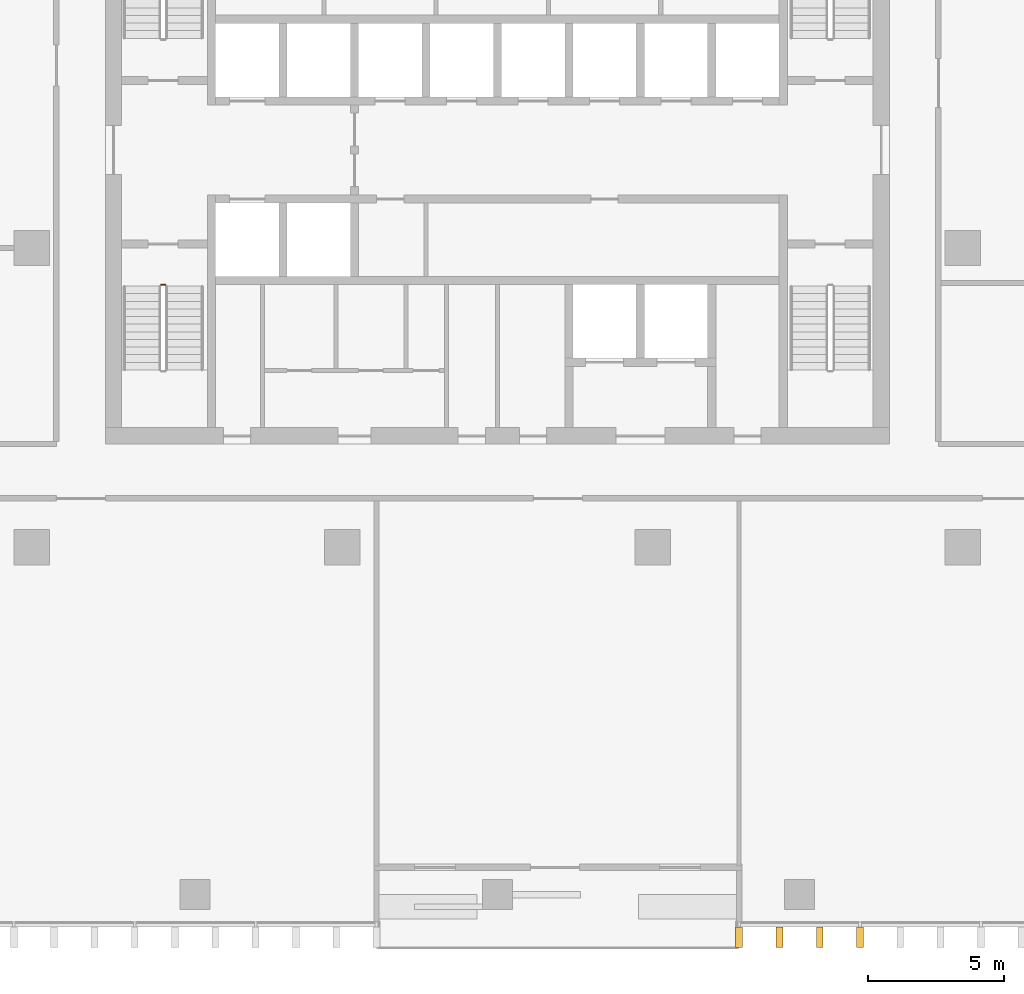
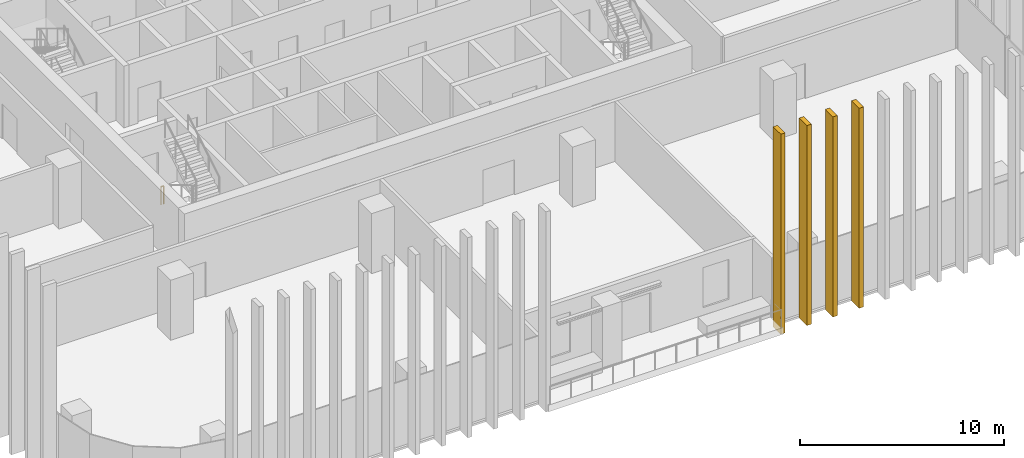
# One storey, part 12 of 16: 4 shading devices, 1 railing.
"""IFC4 building model written with IfcOpenShell, lengths in metres."""

import ifcopenshell
import ifcopenshell.guid

model = None  # the IFC model being written
_history = None  # IfcOwnerHistory: only IFC2X3 demands one
_inside = {}  # id of a spatial element -> (the spatial element, [elements in it])
_under = {}  # id of a project, library or spatial element -> (it, [spatial elements below it])
_declared = {}  # id of a project -> (the project, [libraries it declares])
_typed = {}  # id of a type object -> (the type object, [elements of that type])
_made_of = {}  # id of a material, layer set ... -> (it, [elements and type objects made of it])


def new_model(schema):
    """Start an empty IFC model of exactly this schema.

    Asked for "IFC4X3", IfcOpenShell would pick the latest addendum, in which some entities
    have other attributes; the version numbers below select the first issue.
    IFC2X3 requires an IfcOwnerHistory on every rooted entity: one is made here for all.
    """
    global model, _history
    if schema == "IFC4X3":
        model = ifcopenshell.file(schema_version=(4, 3, 0, 0))
    else:
        model = ifcopenshell.file(schema=schema)
    _inside.clear()
    _under.clear()
    _declared.clear()
    _typed.clear()
    _made_of.clear()
    _history = None
    if model.schema == "IFC2X3":
        org = make("IfcOrganization", Name="unknown")
        user = make(
            "IfcPersonAndOrganization",
            ThePerson=make("IfcPerson", FamilyName="unknown"),
            TheOrganization=org,
        )
        app = make(
            "IfcApplication",
            ApplicationDeveloper=org,
            Version="unknown",
            ApplicationFullName="unknown",
            ApplicationIdentifier="unknown",
        )
        _history = make(
            "IfcOwnerHistory",
            OwningUser=user,
            OwningApplication=app,
            ChangeAction="ADDED",
            CreationDate=0,
        )
    return model


def make(cls, **values):
    """One entity of the class cls with the attributes given. An attribute that is None is left unset."""
    return model.create_entity(
        cls, **{name: value for name, value in values.items() if value is not None}
    )


def rooted(cls, **values):
    """An entity with a GlobalId (a new one), such as an element, a storey or a relation."""
    return make(cls, GlobalId=ifcopenshell.guid.new(), OwnerHistory=_history, **values)


def si_unit(unit_type, name, prefix=None):
    """IfcSIUnit, for example si_unit("LENGTHUNIT", "METRE", prefix="MILLI")."""
    return make("IfcSIUnit", UnitType=unit_type, Prefix=prefix, Name=name)


def assignment(units):
    """IfcUnitAssignment: the units of a project."""
    return None if units is None else make("IfcUnitAssignment", Units=units)


def point(xyz):
    """IfcCartesianPoint."""
    return None if xyz is None else make("IfcCartesianPoint", Coordinates=xyz)


def direction(xyz):
    """IfcDirection."""
    return None if xyz is None else make("IfcDirection", DirectionRatios=xyz)


def frame(location, z_axis=None, x_axis=None):
    """IfcAxis2Placement3D, a coordinate frame: its origin and axes. An axis left out is left unset."""
    return make(
        "IfcAxis2Placement3D",
        Location=point(location),
        Axis=direction(z_axis),
        RefDirection=direction(x_axis),
    )


def frame_2d(location, x_axis=None):
    """IfcAxis2Placement2D, a coordinate frame in the plane: its origin and x axis."""
    return make(
        "IfcAxis2Placement2D", Location=point(location), RefDirection=direction(x_axis)
    )


def origin():
    """The frame at (0, 0, 0) with its axes left unset."""
    return frame((0.0, 0.0, 0.0))


def origin_2d():
    """The frame at (0, 0) in the plane with its x axis left unset."""
    return frame_2d((0.0, 0.0))


def place(relative_to, where):
    """IfcLocalPlacement: puts the frame where relative to a parent placement (None: the world)."""
    return make(
        "IfcLocalPlacement", PlacementRelTo=relative_to, RelativePlacement=where
    )


def context(
    kind, dimensions, precision=None, world=None, true_north=None, identifier=None
):
    """IfcGeometricRepresentationContext, for example the 3D "Model" context."""
    return make(
        "IfcGeometricRepresentationContext",
        ContextIdentifier=identifier,
        ContextType=kind,
        CoordinateSpaceDimension=dimensions,
        Precision=precision,
        WorldCoordinateSystem=world,
        TrueNorth=true_north,
    )


def subcontext(parent, identifier, kind, view, scale=None):
    """IfcGeometricRepresentationSubContext, for example "Body" below "Model"."""
    return make(
        "IfcGeometricRepresentationSubContext",
        ContextIdentifier=identifier,
        ContextType=kind,
        ParentContext=parent,
        TargetScale=scale,
        TargetView=view,
    )


def project(units=None, contexts=None):
    """IfcProject with its units and contexts."""
    return rooted(
        "IfcProject",
        Name="project",
        RepresentationContexts=contexts,
        UnitsInContext=assignment(units),
    )


def spatial(cls, under=None, at=None, **own):
    """A site, building, storey or space (cls), placed at a placement, below another one or the project."""
    s = rooted(cls, ObjectPlacement=at, **own)
    if under is not None:
        _under.setdefault(under.id(), (under, []))[1].append(s)
    return s


def profile(cls, at=None, kind="AREA", **sizes):
    """A parametric profile (cls). Its sizes go by their IFC names, for example OverallWidth=200.0."""
    return make(cls, ProfileType=kind, Position=at, **sizes)


def rectangle(**sizes):
    """IfcRectangleProfileDef."""
    return profile("IfcRectangleProfileDef", **sizes)


def circle(**sizes):
    """IfcCircleProfileDef."""
    return profile("IfcCircleProfileDef", **sizes)


def extrude(swept, where, along, depth):
    """IfcExtrudedAreaSolid: the profile swept, set in the frame where, extruded along a direction by depth."""
    return make(
        "IfcExtrudedAreaSolid",
        SweptArea=swept,
        Position=where,
        ExtrudedDirection=direction(along),
        Depth=depth,
    )


def shape(context_of_items, identifier, shape_type, items):
    """IfcShapeRepresentation: the items that make up one representation, for example the "Body"."""
    return make(
        "IfcShapeRepresentation",
        ContextOfItems=context_of_items,
        RepresentationIdentifier=identifier,
        RepresentationType=shape_type,
        Items=items,
    )


def material(Name=None, Category=None):
    """IfcMaterial."""
    return make("IfcMaterial", Name=Name, Category=Category)


def made_of(thing, what):
    """Note that an element or type object is made of a material, layer set ...; save() writes the relation."""
    if what is not None:
        _made_of.setdefault(what.id(), (what, []))[1].append(thing)
    return thing


def type_object(cls, material=None, **own):
    """A type object (cls), such as IfcWallType, which elements share."""
    return made_of(rooted(cls, **own), material)


def element(
    cls,
    number,
    at=None,
    inside=None,
    cuts=None,
    type_object=None,
    material=None,
    context=None,
    identifier="Body",
    shape_type=None,
    held_by="IfcProductDefinitionShape",
    body=None,
    shapes=None,
    **own,
):
    """One element of the class cls, such as IfcWall. Its Tag is "e" and its number.

    at: its placement. inside: the storey or other place that contains it. cuts: it is an
    opening in that element (IfcRelVoidsElement). A single representation is given by context,
    identifier, shape_type and body (its items); several are given by shapes. held_by: the class
    of the entity that holds the representations. save() writes the other relations.
    """
    e = rooted(cls, Tag="e%d" % number, ObjectPlacement=at, **own)
    if body is not None:
        shapes = [shape(context, identifier, shape_type, body)]
    if shapes is not None:
        e.Representation = make(held_by, Representations=shapes)
    if inside is not None:
        _inside.setdefault(inside.id(), (inside, []))[1].append(e)
    if cuts is not None:
        rooted(
            "IfcRelVoidsElement", RelatingBuildingElement=cuts, RelatedOpeningElement=e
        )
    if type_object is not None:
        _typed.setdefault(type_object.id(), (type_object, []))[1].append(e)
    return made_of(e, material)


def aggregate(whole, parts):
    """IfcRelAggregates: a whole, such as a stair, and the parts it consists of."""
    return rooted("IfcRelAggregates", RelatingObject=whole, RelatedObjects=parts)


def save(model, path):
    """Write the relations noted so far, then the file.

    IfcRelAggregates (storeys below a building ...), IfcRelContainedInSpatialStructure (elements
    in a storey), IfcRelDefinesByType, IfcRelAssociatesMaterial and IfcRelDeclares: one each for
    every whole, place, type object, material and project.
    """
    for whole, parts in _under.values():
        aggregate(whole, parts)
    for where, things in _inside.values():
        rooted(
            "IfcRelContainedInSpatialStructure",
            RelatedElements=things,
            RelatingStructure=where,
        )
    for kind, things in _typed.values():
        rooted("IfcRelDefinesByType", RelatedObjects=things, RelatingType=kind)
    for what, things in _made_of.values():
        rooted("IfcRelAssociatesMaterial", RelatedObjects=things, RelatingMaterial=what)
    for by, libraries in _declared.values():
        rooted("IfcRelDeclares", RelatingContext=by, RelatedDefinitions=libraries)
    model.write(path)


model = new_model("IFC4")

# Units and contexts
model_context = context("Model", 3, precision=1e-05, world=origin(), true_north=direction((0.0, 1.0)))
body_context = subcontext(model_context, "Body", "Model", "MODEL_VIEW")
ifc_project = project(units=[si_unit("LENGTHUNIT", "METRE"), si_unit("AREAUNIT", "SQUARE_METRE"), si_unit("VOLUMEUNIT", "CUBIC_METRE"), si_unit("PLANEANGLEUNIT", "RADIAN"), si_unit("MASSUNIT", "GRAM", prefix="KILO")], contexts=[model_context])

# Site, building, storey
site_placement = place(None, origin())
site = spatial("IfcSite", under=ifc_project, at=site_placement, CompositionType="ELEMENT")
building_placement = place(site_placement, origin())
building = spatial("IfcBuilding", under=site, at=building_placement, Name="Mopane Tessera Tower", CompositionType="ELEMENT")
storey_placement = place(building_placement, frame((0.0, 0.0, 235.0)))
storey = spatial("IfcBuildingStorey", under=building, at=storey_placement, Name="L50", CompositionType="ELEMENT", Elevation=235.0)

# Shading devices
ifc_material_1 = material(Name="Glazed ceramic tile")
shading_device_type = type_object("IfcShadingDeviceType", Name="Ceramic tile fin 750 x 250 mm", PredefinedType="USERDEFINED", material=ifc_material_1)
for number, where, z_axis, x_axis, name in (
    (1, (8.8798828125, -25.324951171875, -0.39990234375), (0.0, 0.0, 1.0), (1.0, 0.0, 0.0), "e:fin:L50:S:7:0"),
    (2, (10.360107421875, -25.324951171875, -0.39990234375), (0.0, 0.0, 1.0), (1.0, 0.0, 0.0), "e:fin:L50:S:7:1"),
    (3, (11.840087890625, -25.324951171875, -0.39990234375), (0.0, 0.0, 1.0), (1.0, 0.0, 0.0), "e:fin:L50:S:7:2"),
    (4, (13.320068359375, -25.324951171875, -0.39990234375), (0.0, 0.0, 1.0), (1.0, 0.0, 0.0), "e:fin:L50:S:8:0"),
):
    element("IfcShadingDevice", number, at=place(storey_placement, frame(where, z_axis=z_axis, x_axis=x_axis)), inside=storey, type_object=shading_device_type, Name=name, ObjectType="FIN", PredefinedType="USERDEFINED", context=body_context, shape_type="SweptSolid", body=[
        extrude(rectangle(XDim=0.25, YDim=0.75, at=origin_2d()), origin(), (0.0, 0.0, 1.0), 12.0),
    ])

# Railing
ifc_material_2 = material(Name="Powder-coated steel balustrade", Category="steel")
railing_type = type_object("IfcRailingType", Name="Escape stair guard 1100 mm", PredefinedType="GUARDRAIL", material=ifc_material_2)
railing_placement = place(storey_placement, frame((-12.35009765625, -1.35009765625, 0.0)))
element("IfcRailing", 5, at=railing_placement, inside=storey, type_object=railing_type, Name="L50 ST1 stair guard 3", PredefinedType="GUARDRAIL", context=body_context, shape_type="SweptSolid", body=[
    extrude(circle(Radius=0.02392578125, at=origin_2d()), frame((0.0, 0.0, 1.076171875), z_axis=(1.0, 0.0, 0.0), x_axis=(0.0, 1.0, 0.0)), (0.0, 0.0, 1.0), 0.150146484375),
    extrude(circle(Radius=0.02099609375, at=origin_2d()), origin(), (0.0, 0.0, 1.0), 1.052001953125),
    extrude(circle(Radius=0.02099609375, at=origin_2d()), frame((0.150146484375, 0.0, 0.0)), (0.0, 0.0, 1.0), 1.052001953125),
])

save(model, "model.ifc")
